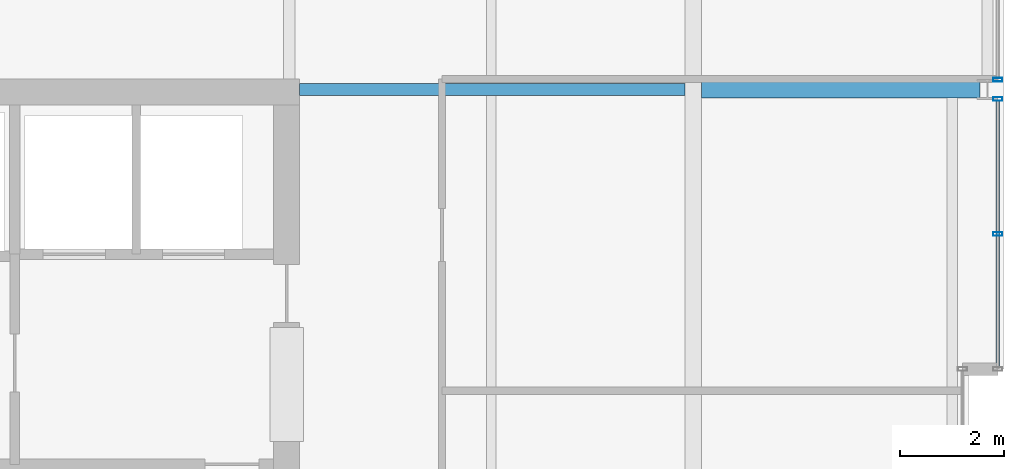
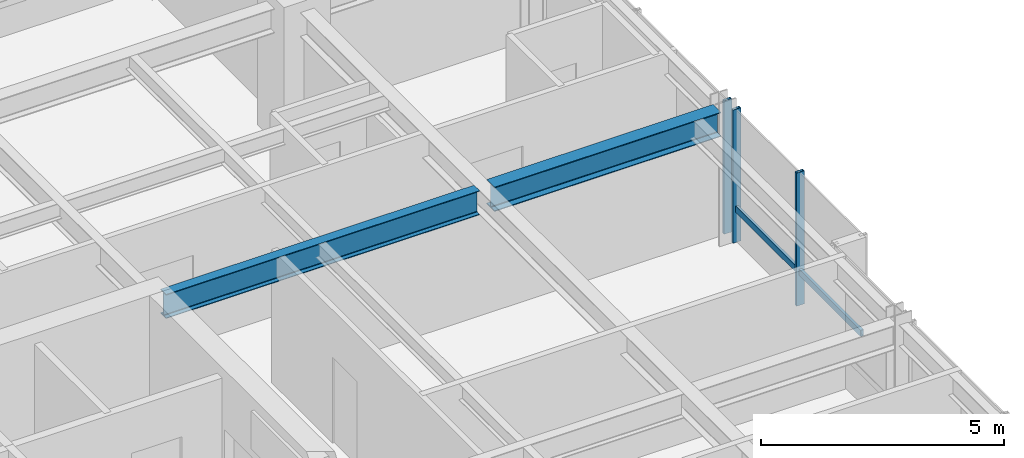
# One storey, part 22 of 31: 4 members, 2 beams, 2 elements without a shape of their own.
"""IFC4 building model written with IfcOpenShell, lengths in metres."""

import ifcopenshell
import ifcopenshell.guid

model = None  # the IFC model being written
_history = None  # IfcOwnerHistory: only IFC2X3 demands one
_inside = {}  # id of a spatial element -> (the spatial element, [elements in it])
_under = {}  # id of a project, library or spatial element -> (it, [spatial elements below it])
_declared = {}  # id of a project -> (the project, [libraries it declares])
_typed = {}  # id of a type object -> (the type object, [elements of that type])
_made_of = {}  # id of a material, layer set ... -> (it, [elements and type objects made of it])


def new_model(schema):
    """Start an empty IFC model of exactly this schema.

    Asked for "IFC4X3", IfcOpenShell would pick the latest addendum, in which some entities
    have other attributes; the version numbers below select the first issue.
    IFC2X3 requires an IfcOwnerHistory on every rooted entity: one is made here for all.
    """
    global model, _history
    if schema == "IFC4X3":
        model = ifcopenshell.file(schema_version=(4, 3, 0, 0))
    else:
        model = ifcopenshell.file(schema=schema)
    _inside.clear()
    _under.clear()
    _declared.clear()
    _typed.clear()
    _made_of.clear()
    _history = None
    if model.schema == "IFC2X3":
        org = make("IfcOrganization", Name="unknown")
        user = make(
            "IfcPersonAndOrganization",
            ThePerson=make("IfcPerson", FamilyName="unknown"),
            TheOrganization=org,
        )
        app = make(
            "IfcApplication",
            ApplicationDeveloper=org,
            Version="unknown",
            ApplicationFullName="unknown",
            ApplicationIdentifier="unknown",
        )
        _history = make(
            "IfcOwnerHistory",
            OwningUser=user,
            OwningApplication=app,
            ChangeAction="ADDED",
            CreationDate=0,
        )
    return model


def make(cls, **values):
    """One entity of the class cls with the attributes given. An attribute that is None is left unset."""
    return model.create_entity(
        cls, **{name: value for name, value in values.items() if value is not None}
    )


def rooted(cls, **values):
    """An entity with a GlobalId (a new one), such as an element, a storey or a relation."""
    return make(cls, GlobalId=ifcopenshell.guid.new(), OwnerHistory=_history, **values)


def si_unit(unit_type, name, prefix=None):
    """IfcSIUnit, for example si_unit("LENGTHUNIT", "METRE", prefix="MILLI")."""
    return make("IfcSIUnit", UnitType=unit_type, Prefix=prefix, Name=name)


def assignment(units):
    """IfcUnitAssignment: the units of a project."""
    return None if units is None else make("IfcUnitAssignment", Units=units)


def point(xyz):
    """IfcCartesianPoint."""
    return None if xyz is None else make("IfcCartesianPoint", Coordinates=xyz)


def direction(xyz):
    """IfcDirection."""
    return None if xyz is None else make("IfcDirection", DirectionRatios=xyz)


def frame(location, z_axis=None, x_axis=None):
    """IfcAxis2Placement3D, a coordinate frame: its origin and axes. An axis left out is left unset."""
    return make(
        "IfcAxis2Placement3D",
        Location=point(location),
        Axis=direction(z_axis),
        RefDirection=direction(x_axis),
    )


def frame_2d(location, x_axis=None):
    """IfcAxis2Placement2D, a coordinate frame in the plane: its origin and x axis."""
    return make(
        "IfcAxis2Placement2D", Location=point(location), RefDirection=direction(x_axis)
    )


def origin():
    """The frame at (0, 0, 0) with its axes left unset."""
    return frame((0.0, 0.0, 0.0))


def origin_2d():
    """The frame at (0, 0) in the plane with its x axis left unset."""
    return frame_2d((0.0, 0.0))


def place(relative_to, where):
    """IfcLocalPlacement: puts the frame where relative to a parent placement (None: the world)."""
    return make(
        "IfcLocalPlacement", PlacementRelTo=relative_to, RelativePlacement=where
    )


def context(
    kind, dimensions, precision=None, world=None, true_north=None, identifier=None
):
    """IfcGeometricRepresentationContext, for example the 3D "Model" context."""
    return make(
        "IfcGeometricRepresentationContext",
        ContextIdentifier=identifier,
        ContextType=kind,
        CoordinateSpaceDimension=dimensions,
        Precision=precision,
        WorldCoordinateSystem=world,
        TrueNorth=true_north,
    )


def subcontext(parent, identifier, kind, view, scale=None):
    """IfcGeometricRepresentationSubContext, for example "Body" below "Model"."""
    return make(
        "IfcGeometricRepresentationSubContext",
        ContextIdentifier=identifier,
        ContextType=kind,
        ParentContext=parent,
        TargetScale=scale,
        TargetView=view,
    )


def project(units=None, contexts=None):
    """IfcProject with its units and contexts."""
    return rooted(
        "IfcProject",
        Name="project",
        RepresentationContexts=contexts,
        UnitsInContext=assignment(units),
    )


def spatial(cls, under=None, at=None, **own):
    """A site, building, storey or space (cls), placed at a placement, below another one or the project."""
    s = rooted(cls, ObjectPlacement=at, **own)
    if under is not None:
        _under.setdefault(under.id(), (under, []))[1].append(s)
    return s


def profile(cls, at=None, kind="AREA", **sizes):
    """A parametric profile (cls). Its sizes go by their IFC names, for example OverallWidth=200.0."""
    return make(cls, ProfileType=kind, Position=at, **sizes)


def hollow_rectangle(**sizes):
    """IfcRectangleHollowProfileDef."""
    return profile("IfcRectangleHollowProfileDef", **sizes)


def i_section(**sizes):
    """IfcIShapeProfileDef."""
    return profile("IfcIShapeProfileDef", **sizes)


def extrude(swept, where, along, depth):
    """IfcExtrudedAreaSolid: the profile swept, set in the frame where, extruded along a direction by depth."""
    return make(
        "IfcExtrudedAreaSolid",
        SweptArea=swept,
        Position=where,
        ExtrudedDirection=direction(along),
        Depth=depth,
    )


def shape(context_of_items, identifier, shape_type, items):
    """IfcShapeRepresentation: the items that make up one representation, for example the "Body"."""
    return make(
        "IfcShapeRepresentation",
        ContextOfItems=context_of_items,
        RepresentationIdentifier=identifier,
        RepresentationType=shape_type,
        Items=items,
    )


def material(Name=None, Category=None):
    """IfcMaterial."""
    return make("IfcMaterial", Name=Name, Category=Category)


def layer(
    of_material, thickness, ventilated=None, Name=None, Category=None, Priority=None
):
    """IfcMaterialLayer: one layer of a wall or slab, of a material (None: an air gap)."""
    return make(
        "IfcMaterialLayer",
        Material=of_material,
        LayerThickness=thickness,
        IsVentilated=ventilated,
        Name=Name,
        Category=Category,
        Priority=Priority,
    )


def layer_set(layers, Name=None):
    """IfcMaterialLayerSet."""
    return make("IfcMaterialLayerSet", MaterialLayers=layers, LayerSetName=Name)


def material_profile(
    of_material, cross_section, Name=None, Category=None, Priority=None
):
    """IfcMaterialProfile: a cross section and its material."""
    return make(
        "IfcMaterialProfile",
        Name=Name,
        Material=of_material,
        Profile=cross_section,
        Priority=Priority,
        Category=Category,
    )


def profile_set(profiles, Name=None, composite=None):
    """IfcMaterialProfileSet."""
    return make(
        "IfcMaterialProfileSet",
        Name=Name,
        MaterialProfiles=profiles,
        CompositeProfile=composite,
    )


def made_of(thing, what):
    """Note that an element or type object is made of a material, layer set ...; save() writes the relation."""
    if what is not None:
        _made_of.setdefault(what.id(), (what, []))[1].append(thing)
    return thing


def type_object(cls, material=None, **own):
    """A type object (cls), such as IfcWallType, which elements share."""
    return made_of(rooted(cls, **own), material)


def element(
    cls,
    number,
    at=None,
    inside=None,
    cuts=None,
    type_object=None,
    material=None,
    context=None,
    identifier="Body",
    shape_type=None,
    held_by="IfcProductDefinitionShape",
    body=None,
    shapes=None,
    **own,
):
    """One element of the class cls, such as IfcWall. Its Tag is "e" and its number.

    at: its placement. inside: the storey or other place that contains it. cuts: it is an
    opening in that element (IfcRelVoidsElement). A single representation is given by context,
    identifier, shape_type and body (its items); several are given by shapes. held_by: the class
    of the entity that holds the representations. save() writes the other relations.
    """
    e = rooted(cls, Tag="e%d" % number, ObjectPlacement=at, **own)
    if body is not None:
        shapes = [shape(context, identifier, shape_type, body)]
    if shapes is not None:
        e.Representation = make(held_by, Representations=shapes)
    if inside is not None:
        _inside.setdefault(inside.id(), (inside, []))[1].append(e)
    if cuts is not None:
        rooted(
            "IfcRelVoidsElement", RelatingBuildingElement=cuts, RelatedOpeningElement=e
        )
    if type_object is not None:
        _typed.setdefault(type_object.id(), (type_object, []))[1].append(e)
    return made_of(e, material)


def aggregate(whole, parts):
    """IfcRelAggregates: a whole, such as a stair, and the parts it consists of."""
    return rooted("IfcRelAggregates", RelatingObject=whole, RelatedObjects=parts)


def save(model, path):
    """Write the relations noted so far, then the file.

    IfcRelAggregates (storeys below a building ...), IfcRelContainedInSpatialStructure (elements
    in a storey), IfcRelDefinesByType, IfcRelAssociatesMaterial and IfcRelDeclares: one each for
    every whole, place, type object, material and project.
    """
    for whole, parts in _under.values():
        aggregate(whole, parts)
    for where, things in _inside.values():
        rooted(
            "IfcRelContainedInSpatialStructure",
            RelatedElements=things,
            RelatingStructure=where,
        )
    for kind, things in _typed.values():
        rooted("IfcRelDefinesByType", RelatedObjects=things, RelatingType=kind)
    for what, things in _made_of.values():
        rooted("IfcRelAssociatesMaterial", RelatedObjects=things, RelatingMaterial=what)
    for by, libraries in _declared.values():
        rooted("IfcRelDeclares", RelatingContext=by, RelatedDefinitions=libraries)
    model.write(path)


model = new_model("IFC4")

# Units and contexts
model_context = context("Model", 3, precision=1e-05, world=origin(), true_north=direction((0.0, 1.0)))
body_context = subcontext(model_context, "Body", "Model", "MODEL_VIEW")
ifc_project = project(units=[si_unit("LENGTHUNIT", "METRE"), si_unit("AREAUNIT", "SQUARE_METRE"), si_unit("VOLUMEUNIT", "CUBIC_METRE"), si_unit("PLANEANGLEUNIT", "RADIAN"), si_unit("MASSUNIT", "GRAM", prefix="KILO")], contexts=[model_context])

# Site, building, storey
site_placement = place(None, origin())
site = spatial("IfcSite", under=ifc_project, at=site_placement, CompositionType="ELEMENT")
building_placement = place(site_placement, origin())
building = spatial("IfcBuilding", under=site, at=building_placement, Name="Drelvath Grand Hotel", CompositionType="ELEMENT")
storey_placement = place(building_placement, frame((0.0, 0.0, 230.300048828125)))
storey = spatial("IfcBuildingStorey", under=building, at=storey_placement, Name="L60", CompositionType="ELEMENT", Elevation=230.300048828125)

# Curtain wall, members
ifc_material_1 = material(Name="Platinum-Mist Anodised Aluminium Frame", Category="aluminium")
ifc_layer = layer(ifc_material_1, 0.199951171875)
ifc_layer_set = layer_set([ifc_layer], Name="Platinum-Mist Anodised Aluminium Frame")
curtain_wall_type = type_object("IfcCurtainWallType", Name="Stick Curtain Wall CW-05 Platinum Mist High-Rise", PredefinedType="NOTDEFINED", material=ifc_layer_set)
curtain_wall_1_placement = place(storey_placement, origin())
curtain_wall_1 = element("IfcCurtainWall", 1, at=curtain_wall_1_placement, inside=storey, type_object=curtain_wall_type, Name="L60 CW-05 Curtain Wall CW05-L60-EN1", PredefinedType="NOTDEFINED")
ifc_material_profile_1 = material_profile(ifc_material_1, hollow_rectangle(XDim=0.06494140625, YDim=0.159912109375, WallThickness=0.00390625, at=origin_2d()), Name="HSS160X65X4")
ifc_profile_set_1 = profile_set([ifc_material_profile_1], Name="Platinum-Mist Anodised Aluminium Frame")
member_type_1 = type_object("IfcMemberType", Name="Curtain Wall Horizontal Transom CW-05 HSS160X65X4", PredefinedType="USERDEFINED", material=ifc_profile_set_1)
member_1_placement = place(storey_placement, frame((22.080078125, 35.1748046875, 0.8349609375), z_axis=(0.0, -1.0, 0.0), x_axis=(1.0, 0.0, 0.0)))
member_1 = element("IfcMember", 2, at=member_1_placement, type_object=member_type_1, Name="CW05-L60-EN1 Sill Transom", ObjectType="TRANSOM", PredefinedType="USERDEFINED", context=body_context, shape_type="SweptSolid", body=[
    extrude(hollow_rectangle(XDim=0.06494140625, YDim=0.159912109375, WallThickness=0.00390625, at=origin_2d()), origin(), (0.0, 0.0, 1.0), 5.134765625),
])
ifc_material_profile_2 = material_profile(ifc_material_1, hollow_rectangle(XDim=0.074951171875, YDim=0.179931640625, WallThickness=0.0048828125, at=origin_2d()), Name="HSS180X75X5")
ifc_profile_set_2 = profile_set([ifc_material_profile_2], Name="Platinum-Mist Anodised Aluminium Frame")
member_type_2 = type_object("IfcMemberType", Name="Curtain Wall Vertical Mullion CW-05 HSS180X75X5", PredefinedType="MULLION", material=ifc_profile_set_2)
member_2_placement = place(storey_placement, frame((22.080078125, 35.214599609375, 0.0), z_axis=(0.0, 0.0, 1.0), x_axis=(0.0, 1.0, 0.0)))
member_2 = element("IfcMember", 3, at=member_2_placement, type_object=member_type_2, Name="CW05-L60-EN1 Mullion 1", PredefinedType="MULLION", context=body_context, shape_type="SweptSolid", body=[
    extrude(hollow_rectangle(XDim=0.074951171875, YDim=0.179931640625, WallThickness=0.0048828125, at=origin_2d()), origin(), (0.0, 0.0, 1.0), 3.33984375),
])
member_3_placement = place(storey_placement, frame((22.080078125, 32.607421875, 0.0), z_axis=(0.0, 0.0, 1.0), x_axis=(0.0, 1.0, 0.0)))
member_3 = element("IfcMember", 4, at=member_3_placement, type_object=member_type_2, Name="CW05-L60-EN1 Mullion 2", PredefinedType="MULLION", context=body_context, shape_type="SweptSolid", body=[
    extrude(hollow_rectangle(XDim=0.074951171875, YDim=0.179931640625, WallThickness=0.0048828125, at=origin_2d()), origin(), (0.0, 0.0, 1.0), 3.33984375),
])
aggregate(curtain_wall_1, [member_2, member_3, member_1])

# Curtain wall, member
curtain_wall_2_placement = place(storey_placement, origin())
curtain_wall_2 = element("IfcCurtainWall", 5, at=curtain_wall_2_placement, inside=storey, type_object=curtain_wall_type, Name="L60 CW-05 Curtain Wall CW05-L60-EN2", PredefinedType="NOTDEFINED")
member_4_placement = place(storey_placement, frame((22.080078125, 35.585205078125, 0.0), z_axis=(0.0, 0.0, 1.0), x_axis=(0.0, 1.0, 0.0)))
member_4 = element("IfcMember", 6, at=member_4_placement, type_object=member_type_2, Name="CW05-L60-EN2 Mullion 3", PredefinedType="MULLION", context=body_context, shape_type="SweptSolid", body=[
    extrude(hollow_rectangle(XDim=0.074951171875, YDim=0.179931640625, WallThickness=0.0048828125, at=origin_2d()), origin(), (0.0, 0.0, 1.0), 3.33984375),
])
aggregate(curtain_wall_2, [member_4])

# Beams
ifc_material_2 = material(Name="Steel ASTM A992 Gr 50", Category="steel")
ifc_material_profile_3 = material_profile(ifc_material_2, i_section(OverallWidth=0.323974609375, OverallDepth=0.611083984375, WebThickness=0.0126953125, FlangeThickness=0.01904296875, FilletRadius=0.02197265625, at=origin_2d()), Name="W24X104")
ifc_profile_set_3 = profile_set([ifc_material_profile_3], Name="Steel ASTM A992 Gr 50")
beam_type_1 = type_object("IfcBeamType", Name="Primary Floor Girder W24X104", PredefinedType="BEAM", material=ifc_profile_set_3)
beam_1_placement = place(storey_placement, frame((16.362060546875, 35.39990234375, 3.034423828125), z_axis=(1.0, 0.0, 0.0), x_axis=(0.0, 1.0, 0.0)))
element("IfcBeam", 7, at=beam_1_placement, inside=storey, type_object=beam_type_1, Name="L60 East Wing Girder F", PredefinedType="BEAM", context=body_context, shape_type="SweptSolid", body=[
    extrude(i_section(OverallWidth=0.323974609375, OverallDepth=0.611083984375, WebThickness=0.0126953125, FlangeThickness=0.01904296875, FilletRadius=0.02197265625, at=origin_2d()), origin(), (0.0, 0.0, 1.0), 5.3779296875),
])
ifc_material_profile_4 = material_profile(ifc_material_2, i_section(OverallWidth=0.228271484375, OverallDepth=0.607666015625, WebThickness=0.01123046875, FlangeThickness=0.017333984375, FilletRadius=0.02001953125, at=origin_2d()), Name="W24X76")
ifc_profile_set_4 = profile_set([ifc_material_profile_4], Name="Steel ASTM A992 Gr 50")
beam_type_2 = type_object("IfcBeamType", Name="Primary Floor Girder W24X76", PredefinedType="BEAM", material=ifc_profile_set_4)
beam_2_placement = place(storey_placement, frame((8.60009765625, 35.39990234375, 3.0361328125), z_axis=(1.0, 0.0, 0.0), x_axis=(0.0, 1.0, 0.0)))
element("IfcBeam", 8, at=beam_2_placement, inside=storey, type_object=beam_type_2, Name="L60 East Core Tie F", PredefinedType="BEAM", context=body_context, shape_type="SweptSolid", body=[
    extrude(i_section(OverallWidth=0.228271484375, OverallDepth=0.607666015625, WebThickness=0.01123046875, FlangeThickness=0.017333984375, FilletRadius=0.02001953125, at=origin_2d()), origin(), (0.0, 0.0, 1.0), 7.43798828125),
])

save(model, "model.ifc")
